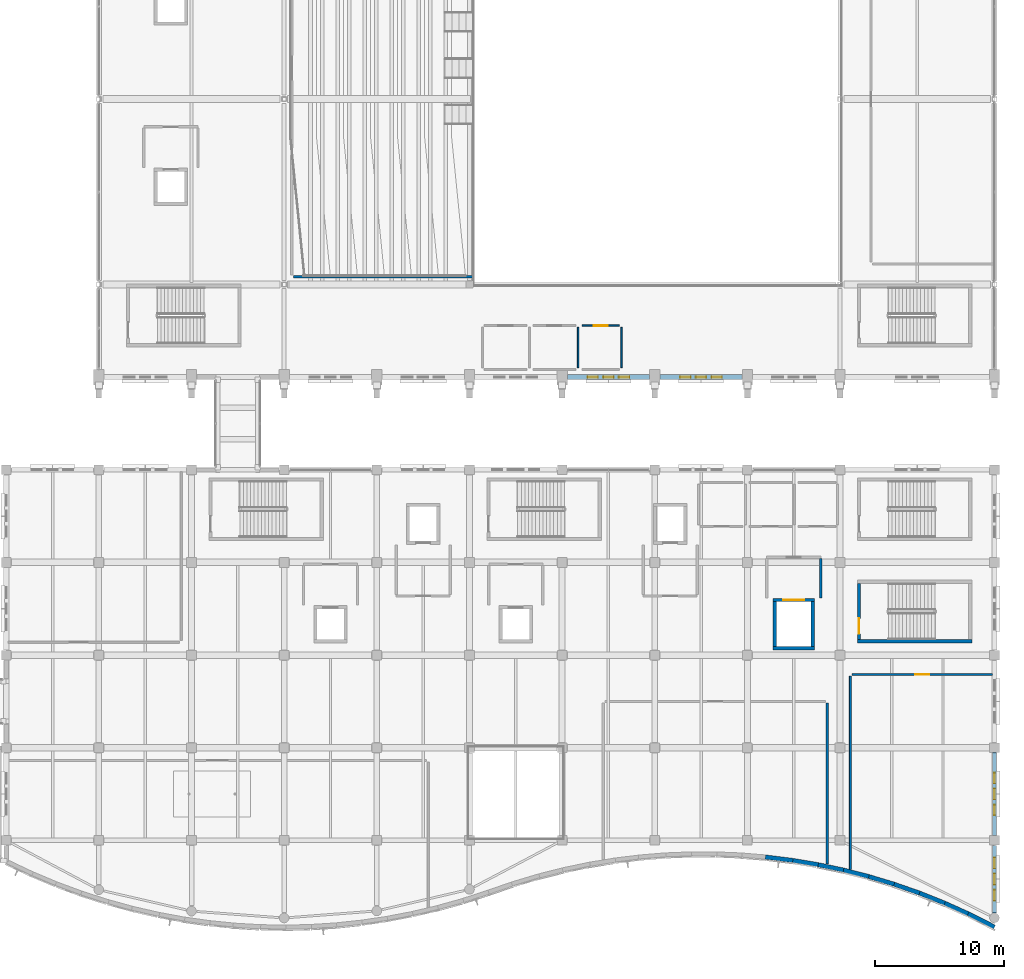
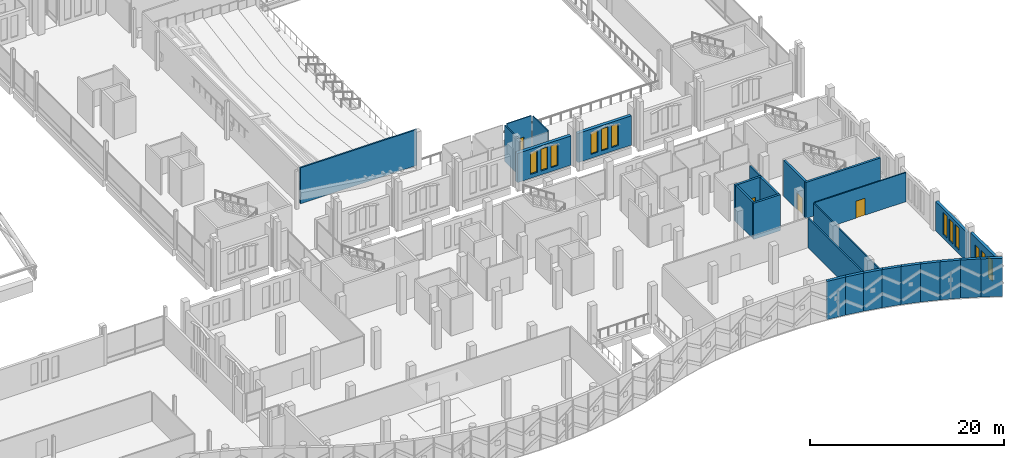
# One storey, part 144 of 193: 27 walls, 12 windows, 4 doors, 16 openings.
"""IFC4 building model written with IfcOpenShell, lengths in metres."""

from ifc_helpers import new_model, si_unit, direction, frame, frame_2d, origin, place, context, subcontext, project, spatial, rectangle, extrude, material, layer, layer_set, type_object, element, fill, save


model = new_model("IFC4")

# Units and contexts
model_context = context("Model", 3, precision=1e-05, world=origin(), true_north=direction((0.0, 1.0)))
body_context = subcontext(model_context, "Body", "Model", "MODEL_VIEW")
ifc_project = project(units=[si_unit("LENGTHUNIT", "METRE"), si_unit("AREAUNIT", "SQUARE_METRE"), si_unit("VOLUMEUNIT", "CUBIC_METRE"), si_unit("PLANEANGLEUNIT", "RADIAN"), si_unit("MASSUNIT", "GRAM", prefix="KILO")], contexts=[model_context])

# Site, building, storey
site_placement = place(None, origin())
site = spatial("IfcSite", under=ifc_project, at=site_placement, CompositionType="ELEMENT")
building_placement = place(site_placement, origin())
building = spatial("IfcBuilding", under=site, at=building_placement, Name="Cendralis Lancet Convention Centre", CompositionType="ELEMENT")
storey_placement = place(building_placement, frame((0.0, 0.0, 10.199951171875)))
storey = spatial("IfcBuildingStorey", under=building, at=storey_placement, Name="L02", CompositionType="ELEMENT", Elevation=10.199951171875)

# Wall, openings, windows
ifc_material_1 = material(Name="Buff sandstone ashlar and Concrete G40 (C40/50)", Category="masonry")
ifc_layer_1 = layer(ifc_material_1, 0.320068359375, Name="Buff sandstone ashlar and Concrete G40 (C40/50)")
ifc_layer_set_1 = layer_set([ifc_layer_1], Name="Buff sandstone ashlar and Concrete G40 (C40/50)")
wall_type_1 = type_object("IfcWallType", Name="ARC-EW-W320", PredefinedType="STANDARD", material=ifc_layer_set_1)
wall_1_placement = place(storey_placement, frame((208.800048828125, 14.01708984375, 0.0), z_axis=(0.0, 0.0, 1.0), x_axis=(0.0, -1.0, 0.0)))
wall_1 = element("IfcWall", 1, at=wall_1_placement, inside=storey, type_object=wall_type_1, Name="L02 V5 Exterior Wall EW-06 #0291", PredefinedType="STANDARD", context=body_context, shape_type="SweptSolid", body=[
    extrude(rectangle(XDim=6.43408203125, YDim=0.320068359375, at=frame_2d((3.217041015625, 0.0))), origin(), (0.0, 0.0, 1.0), 3.675048828125),
])
opening_1_placement = place(wall_1_placement, frame((1.576904296875, 0.0, 0.5)))
opening_1 = element("IfcOpeningElement", 2, at=opening_1_placement, cuts=wall_1, Name="Opening WN-07", PredefinedType="OPENING", context=body_context, shape_type="SweptSolid", body=[
    extrude(rectangle(XDim=0.800048828125, YDim=2.75, at=frame_2d((0.39990234375, 1.375))), frame((0.0, 0.169921875, 0.0), z_axis=(0.0, -1.0, 0.0), x_axis=(1.0, 0.0, 0.0)), (0.0, 0.0, 1.0), 0.340087890625),
])
opening_2_placement = place(wall_1_placement, frame((2.797119140625, 0.0, 0.5)))
opening_2 = element("IfcOpeningElement", 3, at=opening_2_placement, cuts=wall_1, Name="Opening WN-15", PredefinedType="OPENING", context=body_context, shape_type="SweptSolid", body=[
    extrude(rectangle(XDim=0.840087890625, YDim=2.699951171875, at=frame_2d((0.419921875, 1.35009765625))), frame((0.0, 0.169921875, 0.0), z_axis=(0.0, -1.0, 0.0), x_axis=(1.0, 0.0, 0.0)), (0.0, 0.0, 1.0), 0.340087890625),
])
opening_3_placement = place(wall_1_placement, frame((4.056884765625, 0.0, 0.5)))
opening_3 = element("IfcOpeningElement", 4, at=opening_3_placement, cuts=wall_1, Name="Opening WN-07", PredefinedType="OPENING", context=body_context, shape_type="SweptSolid", body=[
    extrude(rectangle(XDim=0.800048828125, YDim=2.75, at=frame_2d((0.39990234375, 1.375))), frame((0.0, 0.169921875, 0.0), z_axis=(0.0, -1.0, 0.0), x_axis=(1.0, 0.0, 0.0)), (0.0, 0.0, 1.0), 0.340087890625),
])
ifc_material_2 = material(Name="Double-glazed low-E solar-control glass", Category="glass")
window_type_1 = type_object("IfcWindowType", Name="ARC-WN-LW07", PartitioningType="SINGLE_PANEL", PredefinedType="WINDOW", material=ifc_material_2)
window_1_placement = place(opening_1_placement, origin())
window_1 = element("IfcWindow", 5, at=window_1_placement, inside=storey, type_object=window_type_1, Name="Gothic Lancet Window WN-07 #0562", OverallHeight=2.75, OverallWidth=0.800048828125, PartitioningType="SINGLE_PANEL", PredefinedType="WINDOW", context=body_context, shape_type="SweptSolid", body=[
    extrude(rectangle(XDim=0.800048828125, YDim=2.75, at=frame_2d((0.39990234375, 1.375))), frame((0.0, 0.030029296875, 0.0), z_axis=(0.0, -1.0, 0.0), x_axis=(1.0, 0.0, 0.0)), (0.0, 0.0, 1.0), 0.06005859375),
])
fill(opening_1, window_1)
window_2_placement = place(opening_3_placement, origin())
window_2 = element("IfcWindow", 6, at=window_2_placement, inside=storey, type_object=window_type_1, Name="Gothic Lancet Window WN-07 #0564", OverallHeight=2.75, OverallWidth=0.800048828125, PartitioningType="SINGLE_PANEL", PredefinedType="WINDOW", context=body_context, shape_type="SweptSolid", body=[
    extrude(rectangle(XDim=0.800048828125, YDim=2.75, at=frame_2d((0.39990234375, 1.375))), frame((0.0, 0.030029296875, 0.0), z_axis=(0.0, -1.0, 0.0), x_axis=(1.0, 0.0, 0.0)), (0.0, 0.0, 1.0), 0.06005859375),
])
fill(opening_3, window_2)
window_type_2 = type_object("IfcWindowType", Name="ARC-WN-LW15", PartitioningType="SINGLE_PANEL", PredefinedType="WINDOW", material=ifc_material_2)
window_3_placement = place(opening_2_placement, origin())
window_3 = element("IfcWindow", 7, at=window_3_placement, inside=storey, type_object=window_type_2, Name="Gothic Lancet Window WN-15 #0563", OverallHeight=2.699951171875, OverallWidth=0.840087890625, PartitioningType="SINGLE_PANEL", PredefinedType="WINDOW", context=body_context, shape_type="SweptSolid", body=[
    extrude(rectangle(XDim=0.840087890625, YDim=2.699951171875, at=frame_2d((0.419921875, 1.35009765625))), frame((0.0, 0.030029296875, 0.0), z_axis=(0.0, -1.0, 0.0), x_axis=(1.0, 0.0, 0.0)), (0.0, 0.0, 1.0), 0.06005859375),
])
fill(opening_2, window_3)

wall_2_placement = place(storey_placement, frame((208.800048828125, 6.81689453125, 0.0), z_axis=(0.0, 0.0, 1.0), x_axis=(0.0, -1.0, 0.0)))
wall_2 = element("IfcWall", 8, at=wall_2_placement, inside=storey, type_object=wall_type_1, Name="L02 V5 Exterior Wall EW-06 #0292", PredefinedType="STANDARD", context=body_context, shape_type="SweptSolid", body=[
    extrude(rectangle(XDim=5.25, YDim=0.320068359375, at=frame_2d((2.625, 0.0))), origin(), (0.0, 0.0, 1.0), 4.135009765625),
])
opening_4_placement = place(wall_2_placement, frame((0.945068359375, 0.0, 0.5)))
opening_4 = element("IfcOpeningElement", 9, at=opening_4_placement, cuts=wall_2, Name="Opening WN-15", PredefinedType="OPENING", context=body_context, shape_type="SweptSolid", body=[
    extrude(rectangle(XDim=0.840087890625, YDim=2.699951171875, at=frame_2d((0.419921875, 1.35009765625))), frame((0.0, 0.169921875, 0.0), z_axis=(0.0, -1.0, 0.0), x_axis=(1.0, 0.0, 0.0)), (0.0, 0.0, 1.0), 0.340087890625),
])
opening_5_placement = place(wall_2_placement, frame((2.205078125, 0.0, 0.5)))
opening_5 = element("IfcOpeningElement", 10, at=opening_5_placement, cuts=wall_2, Name="Opening WN-15", PredefinedType="OPENING", context=body_context, shape_type="SweptSolid", body=[
    extrude(rectangle(XDim=0.840087890625, YDim=2.699951171875, at=frame_2d((0.419921875, 1.35009765625))), frame((0.0, 0.169921875, 0.0), z_axis=(0.0, -1.0, 0.0), x_axis=(1.0, 0.0, 0.0)), (0.0, 0.0, 1.0), 0.340087890625),
])
opening_6_placement = place(wall_2_placement, frame((3.465087890625, 0.0, 0.5)))
opening_6 = element("IfcOpeningElement", 11, at=opening_6_placement, cuts=wall_2, Name="Opening WN-15", PredefinedType="OPENING", context=body_context, shape_type="SweptSolid", body=[
    extrude(rectangle(XDim=0.840087890625, YDim=2.699951171875, at=frame_2d((0.419921875, 1.35009765625))), frame((0.0, 0.169921875, 0.0), z_axis=(0.0, -1.0, 0.0), x_axis=(1.0, 0.0, 0.0)), (0.0, 0.0, 1.0), 0.340087890625),
])
window_4_placement = place(opening_4_placement, origin())
window_4 = element("IfcWindow", 12, at=window_4_placement, inside=storey, type_object=window_type_2, Name="Gothic Lancet Window WN-15 #0565", OverallHeight=2.699951171875, OverallWidth=0.840087890625, PartitioningType="SINGLE_PANEL", PredefinedType="WINDOW", context=body_context, shape_type="SweptSolid", body=[
    extrude(rectangle(XDim=0.840087890625, YDim=2.699951171875, at=frame_2d((0.419921875, 1.35009765625))), frame((0.0, 0.030029296875, 0.0), z_axis=(0.0, -1.0, 0.0), x_axis=(1.0, 0.0, 0.0)), (0.0, 0.0, 1.0), 0.06005859375),
])
fill(opening_4, window_4)
window_5_placement = place(opening_5_placement, origin())
window_5 = element("IfcWindow", 13, at=window_5_placement, inside=storey, type_object=window_type_2, Name="Gothic Lancet Window WN-15 #0566", OverallHeight=2.699951171875, OverallWidth=0.840087890625, PartitioningType="SINGLE_PANEL", PredefinedType="WINDOW", context=body_context, shape_type="SweptSolid", body=[
    extrude(rectangle(XDim=0.840087890625, YDim=2.699951171875, at=frame_2d((0.419921875, 1.35009765625))), frame((0.0, 0.030029296875, 0.0), z_axis=(0.0, -1.0, 0.0), x_axis=(1.0, 0.0, 0.0)), (0.0, 0.0, 1.0), 0.06005859375),
])
fill(opening_5, window_5)
window_6_placement = place(opening_6_placement, origin())
window_6 = element("IfcWindow", 14, at=window_6_placement, inside=storey, type_object=window_type_2, Name="Gothic Lancet Window WN-15 #0567", OverallHeight=2.699951171875, OverallWidth=0.840087890625, PartitioningType="SINGLE_PANEL", PredefinedType="WINDOW", context=body_context, shape_type="SweptSolid", body=[
    extrude(rectangle(XDim=0.840087890625, YDim=2.699951171875, at=frame_2d((0.419921875, 1.35009765625))), frame((0.0, 0.030029296875, 0.0), z_axis=(0.0, -1.0, 0.0), x_axis=(1.0, 0.0, 0.0)), (0.0, 0.0, 1.0), 0.06005859375),
])
fill(opening_6, window_6)

# Walls
ifc_layer_2 = layer(ifc_material_1, 0.340087890625, Name="Buff sandstone ashlar and Concrete G40 (C40/50)")
ifc_layer_set_2 = layer_set([ifc_layer_2], Name="Buff sandstone ashlar and Concrete G40 (C40/50)")
wall_type_2 = type_object("IfcWallType", Name="ARC-EW-W340", PredefinedType="STANDARD", material=ifc_layer_set_2)
wall_3_placement = place(storey_placement, frame((190.99267578125, 5.905517578125, 0.0), z_axis=(0.0, 0.0, 1.0), x_axis=(0.992340518497, -0.123532567972, 0.0)))
element("IfcWall", 15, at=wall_3_placement, inside=storey, type_object=wall_type_2, Name="South Boulevard Wave Wall L02 WP-097-WP-098", PredefinedType="STANDARD", context=body_context, shape_type="SweptSolid", body=[
    extrude(rectangle(XDim=2.154296875, YDim=0.340087890625, at=frame_2d((1.0771484375, 0.0))), origin(), (0.0, 0.0, 1.0), 4.800048828125),
])
wall_4_placement = place(storey_placement, frame((192.962158203125, 5.6640625, 0.0), z_axis=(0.0, 0.0, 1.0), x_axis=(0.986406105595, -0.164325880023, 0.0)))
element("IfcWall", 16, at=wall_4_placement, inside=storey, type_object=wall_type_2, Name="South Boulevard Wave Wall L02 WP-098-WP-099", PredefinedType="STANDARD", context=body_context, shape_type="SweptSolid", body=[
    extrude(rectangle(XDim=2.166259765625, YDim=0.340087890625, at=frame_2d((1.0830078125, 0.0))), origin(), (0.0, 0.0, 1.0), 4.800048828125),
])
wall_5_placement = place(storey_placement, frame((194.931884765625, 5.339599609375, 0.0), z_axis=(0.0, 0.0, 1.0), x_axis=(0.978597224131, -0.205785016274, 0.0)))
element("IfcWall", 17, at=wall_5_placement, inside=storey, type_object=wall_type_2, Name="South Boulevard Wave Wall L02 WP-099-WP-100", PredefinedType="STANDARD", context=body_context, shape_type="SweptSolid", body=[
    extrude(rectangle(XDim=2.182861328125, YDim=0.340087890625, at=frame_2d((1.09130859375, 0.0))), origin(), (0.0, 0.0, 1.0), 4.800048828125),
])
wall_6_placement = place(storey_placement, frame((196.902587890625, 4.928955078125, 0.0), z_axis=(0.0, 0.0, 1.0), x_axis=(0.969248825285, -0.246082739509, 0.0)))
element("IfcWall", 18, at=wall_6_placement, inside=storey, type_object=wall_type_2, Name="South Boulevard Wave Wall L02 WP-100-WP-101", PredefinedType="STANDARD", context=body_context, shape_type="SweptSolid", body=[
    extrude(rectangle(XDim=2.201416015625, YDim=0.340087890625, at=frame_2d((1.1005859375, 0.0))), origin(), (0.0, 0.0, 1.0), 4.800048828125),
])
wall_7_placement = place(storey_placement, frame((198.87255859375, 4.4326171875, 0.0), z_axis=(0.0, 0.0, 1.0), x_axis=(0.957632889706, -0.287991750844, 0.0)))
element("IfcWall", 19, at=wall_7_placement, inside=storey, type_object=wall_type_2, Name="South Boulevard Wave Wall L02 WP-101-WP-102", PredefinedType="STANDARD", context=body_context, shape_type="SweptSolid", body=[
    extrude(rectangle(XDim=2.22607421875, YDim=0.340087890625, at=frame_2d((1.113037109375, 0.0))), origin(), (0.0, 0.0, 1.0), 4.800048828125),
])
wall_8_placement = place(storey_placement, frame((200.8427734375, 3.843994140625, 0.0), z_axis=(0.0, 0.0, 1.0), x_axis=(0.944466118258, -0.328608812211, 0.0)))
element("IfcWall", 20, at=wall_8_placement, inside=storey, type_object=wall_type_2, Name="South Boulevard Wave Wall L02 WP-102-WP-103", PredefinedType="STANDARD", context=body_context, shape_type="SweptSolid", body=[
    extrude(rectangle(XDim=2.2548828125, YDim=0.340087890625, at=frame_2d((1.12744140625, 0.0))), origin(), (0.0, 0.0, 1.0), 4.800048828125),
])
wall_9_placement = place(storey_placement, frame((202.81298828125, 3.162353515625, 0.0), z_axis=(0.0, 0.0, 1.0), x_axis=(0.929297953996, -0.369330898651, 0.0)))
element("IfcWall", 21, at=wall_9_placement, inside=storey, type_object=wall_type_2, Name="South Boulevard Wave Wall L02 WP-103-WP-104", PredefinedType="STANDARD", context=body_context, shape_type="SweptSolid", body=[
    extrude(rectangle(XDim=2.289794921875, YDim=0.340087890625, at=frame_2d((1.14501953125, 0.0))), origin(), (0.0, 0.0, 1.0), 4.800048828125),
])
wall_10_placement = place(storey_placement, frame((204.784423828125, 2.3828125, 0.0), z_axis=(0.0, 0.0, 1.0), x_axis=(0.911764564576, -0.410713256158, 0.0)))
element("IfcWall", 22, at=wall_10_placement, inside=storey, type_object=wall_type_2, Name="South Boulevard Wave Wall L02 WP-104-WP-105", PredefinedType="STANDARD", context=body_context, shape_type="SweptSolid", body=[
    extrude(rectangle(XDim=2.32958984375, YDim=0.340087890625, at=frame_2d((1.164794921875, 0.0))), origin(), (0.0, 0.0, 1.0), 4.800048828125),
])
wall_11_placement = place(storey_placement, frame((206.755126953125, 1.49951171875, 0.0), z_axis=(0.0, 0.0, 1.0), x_axis=(0.892157701522, -0.451724070219, 0.0)))
element("IfcWall", 23, at=wall_11_placement, inside=storey, type_object=wall_type_2, Name="South Boulevard Wave Wall L02 WP-105-WP-106", PredefinedType="STANDARD", context=body_context, shape_type="SweptSolid", body=[
    extrude(rectangle(XDim=2.2919921875, YDim=0.340087890625, at=frame_2d((1.14599609375, 0.0))), origin(), (0.0, 0.0, 1.0), 4.800048828125),
])

# Wall, openings, windows
ifc_layer_3 = layer(ifc_material_1, 0.3798828125, Name="Buff sandstone ashlar and Concrete G40 (C40/50)")
ifc_layer_set_3 = layer_set([ifc_layer_3], Name="Buff sandstone ashlar and Concrete G40 (C40/50)")
wall_type_3 = type_object("IfcWallType", Name="ARC-EW-W380", PredefinedType="STANDARD", material=ifc_layer_set_3)
wall_12_placement = place(storey_placement, frame((181.991943359375, 43.199951171875, 0.0), z_axis=(0.0, 0.0, 1.0), x_axis=(-1.0, 0.0, 0.0)))
wall_12 = element("IfcWall", 24, at=wall_12_placement, inside=storey, type_object=wall_type_3, Name="L02 V2 Exterior Wall EW-03 #0114", PredefinedType="STANDARD", context=body_context, shape_type="SweptSolid", body=[
    extrude(rectangle(XDim=6.384033203125, YDim=0.3798828125, at=frame_2d((3.19189453125, 0.0))), origin(), (0.0, 0.0, 1.0), 3.675048828125),
])
opening_7_placement = place(wall_12_placement, frame((1.572021484375, 0.0, 0.5)))
opening_7 = element("IfcOpeningElement", 25, at=opening_7_placement, cuts=wall_12, Name="Opening WN-07", PredefinedType="OPENING", context=body_context, shape_type="SweptSolid", body=[
    extrude(rectangle(XDim=0.800048828125, YDim=2.75, at=frame_2d((0.39990234375, 1.375))), frame((0.0, 0.199951171875, 0.0), z_axis=(0.0, -1.0, 0.0), x_axis=(1.0, 0.0, 0.0)), (0.0, 0.0, 1.0), 0.39990234375),
])
opening_8_placement = place(wall_12_placement, frame((2.7919921875, 0.0, 0.5)))
opening_8 = element("IfcOpeningElement", 26, at=opening_8_placement, cuts=wall_12, Name="Opening WN-07", PredefinedType="OPENING", context=body_context, shape_type="SweptSolid", body=[
    extrude(rectangle(XDim=0.800048828125, YDim=2.75, at=frame_2d((0.39990234375, 1.375))), frame((0.0, 0.199951171875, 0.0), z_axis=(0.0, -1.0, 0.0), x_axis=(1.0, 0.0, 0.0)), (0.0, 0.0, 1.0), 0.39990234375),
])
opening_9_placement = place(wall_12_placement, frame((4.011962890625, 0.0, 0.5)))
opening_9 = element("IfcOpeningElement", 27, at=opening_9_placement, cuts=wall_12, Name="Opening WN-07", PredefinedType="OPENING", context=body_context, shape_type="SweptSolid", body=[
    extrude(rectangle(XDim=0.800048828125, YDim=2.75, at=frame_2d((0.39990234375, 1.375))), frame((0.0, 0.199951171875, 0.0), z_axis=(0.0, -1.0, 0.0), x_axis=(1.0, 0.0, 0.0)), (0.0, 0.0, 1.0), 0.39990234375),
])
window_7_placement = place(opening_7_placement, origin())
window_7 = element("IfcWindow", 28, at=window_7_placement, inside=storey, type_object=window_type_1, Name="Gothic Lancet Window WN-07 #0213", OverallHeight=2.75, OverallWidth=0.800048828125, PartitioningType="SINGLE_PANEL", PredefinedType="WINDOW", context=body_context, shape_type="SweptSolid", body=[
    extrude(rectangle(XDim=0.800048828125, YDim=2.75, at=frame_2d((0.39990234375, 1.375))), frame((0.0, 0.030029296875, 0.0), z_axis=(0.0, -1.0, 0.0), x_axis=(1.0, 0.0, 0.0)), (0.0, 0.0, 1.0), 0.06005859375),
])
fill(opening_7, window_7)
window_8_placement = place(opening_8_placement, origin())
window_8 = element("IfcWindow", 29, at=window_8_placement, inside=storey, type_object=window_type_1, Name="Gothic Lancet Window WN-07 #0214", OverallHeight=2.75, OverallWidth=0.800048828125, PartitioningType="SINGLE_PANEL", PredefinedType="WINDOW", context=body_context, shape_type="SweptSolid", body=[
    extrude(rectangle(XDim=0.800048828125, YDim=2.75, at=frame_2d((0.39990234375, 1.375))), frame((0.0, 0.030029296875, 0.0), z_axis=(0.0, -1.0, 0.0), x_axis=(1.0, 0.0, 0.0)), (0.0, 0.0, 1.0), 0.06005859375),
])
fill(opening_8, window_8)
window_9_placement = place(opening_9_placement, origin())
window_9 = element("IfcWindow", 30, at=window_9_placement, inside=storey, type_object=window_type_1, Name="Gothic Lancet Window WN-07 #0215", OverallHeight=2.75, OverallWidth=0.800048828125, PartitioningType="SINGLE_PANEL", PredefinedType="WINDOW", context=body_context, shape_type="SweptSolid", body=[
    extrude(rectangle(XDim=0.800048828125, YDim=2.75, at=frame_2d((0.39990234375, 1.375))), frame((0.0, 0.030029296875, 0.0), z_axis=(0.0, -1.0, 0.0), x_axis=(1.0, 0.0, 0.0)), (0.0, 0.0, 1.0), 0.06005859375),
])
fill(opening_9, window_9)

wall_13_placement = place(storey_placement, frame((189.19189453125, 43.199951171875, 0.0), z_axis=(0.0, 0.0, 1.0), x_axis=(-1.0, 0.0, 0.0)))
wall_13 = element("IfcWall", 31, at=wall_13_placement, inside=storey, type_object=wall_type_3, Name="L02 V2 Exterior Wall EW-03 #0115", PredefinedType="STANDARD", context=body_context, shape_type="SweptSolid", body=[
    extrude(rectangle(XDim=6.3837890625, YDim=0.3798828125, at=frame_2d((3.19189453125, 0.0))), origin(), (0.0, 0.0, 1.0), 3.675048828125),
])
opening_10_placement = place(wall_13_placement, frame((1.572021484375, 0.0, 0.5)))
opening_10 = element("IfcOpeningElement", 32, at=opening_10_placement, cuts=wall_13, Name="Opening WN-07", PredefinedType="OPENING", context=body_context, shape_type="SweptSolid", body=[
    extrude(rectangle(XDim=0.800048828125, YDim=2.75, at=frame_2d((0.39990234375, 1.375))), frame((0.0, 0.199951171875, 0.0), z_axis=(0.0, -1.0, 0.0), x_axis=(1.0, 0.0, 0.0)), (0.0, 0.0, 1.0), 0.39990234375),
])
opening_11_placement = place(wall_13_placement, frame((2.7919921875, 0.0, 0.5)))
opening_11 = element("IfcOpeningElement", 33, at=opening_11_placement, cuts=wall_13, Name="Opening WN-07", PredefinedType="OPENING", context=body_context, shape_type="SweptSolid", body=[
    extrude(rectangle(XDim=0.800048828125, YDim=2.75, at=frame_2d((0.39990234375, 1.375))), frame((0.0, 0.199951171875, 0.0), z_axis=(0.0, -1.0, 0.0), x_axis=(1.0, 0.0, 0.0)), (0.0, 0.0, 1.0), 0.39990234375),
])
opening_12_placement = place(wall_13_placement, frame((4.011962890625, 0.0, 0.5)))
opening_12 = element("IfcOpeningElement", 34, at=opening_12_placement, cuts=wall_13, Name="Opening WN-07", PredefinedType="OPENING", context=body_context, shape_type="SweptSolid", body=[
    extrude(rectangle(XDim=0.800048828125, YDim=2.75, at=frame_2d((0.39990234375, 1.375))), frame((0.0, 0.199951171875, 0.0), z_axis=(0.0, -1.0, 0.0), x_axis=(1.0, 0.0, 0.0)), (0.0, 0.0, 1.0), 0.39990234375),
])
window_10_placement = place(opening_10_placement, origin())
window_10 = element("IfcWindow", 35, at=window_10_placement, inside=storey, type_object=window_type_1, Name="Gothic Lancet Window WN-07 #0216", OverallHeight=2.75, OverallWidth=0.800048828125, PartitioningType="SINGLE_PANEL", PredefinedType="WINDOW", context=body_context, shape_type="SweptSolid", body=[
    extrude(rectangle(XDim=0.800048828125, YDim=2.75, at=frame_2d((0.39990234375, 1.375))), frame((0.0, 0.030029296875, 0.0), z_axis=(0.0, -1.0, 0.0), x_axis=(1.0, 0.0, 0.0)), (0.0, 0.0, 1.0), 0.06005859375),
])
fill(opening_10, window_10)
window_11_placement = place(opening_11_placement, origin())
window_11 = element("IfcWindow", 36, at=window_11_placement, inside=storey, type_object=window_type_1, Name="Gothic Lancet Window WN-07 #0217", OverallHeight=2.75, OverallWidth=0.800048828125, PartitioningType="SINGLE_PANEL", PredefinedType="WINDOW", context=body_context, shape_type="SweptSolid", body=[
    extrude(rectangle(XDim=0.800048828125, YDim=2.75, at=frame_2d((0.39990234375, 1.375))), frame((0.0, 0.030029296875, 0.0), z_axis=(0.0, -1.0, 0.0), x_axis=(1.0, 0.0, 0.0)), (0.0, 0.0, 1.0), 0.06005859375),
])
fill(opening_11, window_11)
window_12_placement = place(opening_12_placement, origin())
window_12 = element("IfcWindow", 37, at=window_12_placement, inside=storey, type_object=window_type_1, Name="Gothic Lancet Window WN-07 #0218", OverallHeight=2.75, OverallWidth=0.800048828125, PartitioningType="SINGLE_PANEL", PredefinedType="WINDOW", context=body_context, shape_type="SweptSolid", body=[
    extrude(rectangle(XDim=0.800048828125, YDim=2.75, at=frame_2d((0.39990234375, 1.375))), frame((0.0, 0.030029296875, 0.0), z_axis=(0.0, -1.0, 0.0), x_axis=(1.0, 0.0, 0.0)), (0.0, 0.0, 1.0), 0.06005859375),
])
fill(opening_12, window_12)

# Wall
ifc_material_3 = material(Name="Acoustic fire-rated gypsum board on steel studs", Category="steel")
ifc_layer_4 = layer(ifc_material_3, 0.1201171875, Name="Acoustic fire-rated gypsum board on steel studs")
ifc_layer_set_4 = layer_set([ifc_layer_4], Name="Acoustic fire-rated gypsum board on steel studs")
wall_type_4 = type_object("IfcWallType", Name="ARC-IW-P120", PredefinedType="PARTITIONING", material=ifc_layer_set_4)
wall_14_placement = place(storey_placement, frame((176.449951171875, 43.93994140625, 0.0), z_axis=(0.0, 0.0, 1.0), x_axis=(0.0, 1.0, 0.0)))
element("IfcWall", 38, at=wall_14_placement, inside=storey, type_object=wall_type_4, Name="L02 Interior Partition IW-05 #0115", PredefinedType="PARTITIONING", context=body_context, shape_type="SweptSolid", body=[
    extrude(rectangle(XDim=3.1201171875, YDim=0.1201171875, at=frame_2d((1.56005859375, 0.0))), origin(), (0.0, 0.0, 1.0), 4.525146484375),
])

# Wall, opening, door
wall_15_placement = place(storey_placement, frame((176.75, 47.199951171875, 0.0), z_axis=(0.0, 0.0, 1.0), x_axis=(1.0, 0.0, 0.0)))
wall_15 = element("IfcWall", 39, at=wall_15_placement, inside=storey, type_object=wall_type_4, Name="L02 Interior Partition IW-05 #0116", PredefinedType="PARTITIONING", context=body_context, shape_type="SweptSolid", body=[
    extrude(rectangle(XDim=2.89990234375, YDim=0.1201171875, at=frame_2d((1.449951171875, 0.0))), origin(), (0.0, 0.0, 1.0), 4.525146484375),
])
opening_13_placement = place(wall_15_placement, frame((0.89990234375, 0.0, 0.0)))
opening_13 = element("IfcOpeningElement", 40, at=opening_13_placement, cuts=wall_15, Name="Opening FD-11", PredefinedType="OPENING", context=body_context, shape_type="SweptSolid", body=[
    extrude(rectangle(XDim=1.10009765625, YDim=2.14990234375, at=frame_2d((0.550048828125, 1.074951171875))), frame((0.0, 0.070068359375, 0.0), z_axis=(0.0, -1.0, 0.0), x_axis=(1.0, 0.0, 0.0)), (0.0, 0.0, 1.0), 0.14013671875),
])
ifc_material_4 = material(Name="Steel S355", Category="steel")
door_type_1 = type_object("IfcDoorType", Name="ARC-DR-FF11", OperationType="NOTDEFINED", PredefinedType="DOOR", material=ifc_material_4)
door_1_placement = place(opening_13_placement, origin())
door_1 = element("IfcDoor", 41, at=door_1_placement, inside=storey, type_object=door_type_1, Name="L02-D006 L02 Interior Door FD-11 #0038", OperationType="SINGLE_SWING_RIGHT", OverallHeight=2.14990234375, OverallWidth=1.10009765625, PredefinedType="DOOR", context=body_context, shape_type="SweptSolid", body=[
    extrude(rectangle(XDim=1.10009765625, YDim=2.14990234375, at=frame_2d((0.550048828125, 1.074951171875))), frame((0.0, 0.02490234375, 0.0), z_axis=(0.0, -1.0, 0.0), x_axis=(1.0, 0.0, 0.0)), (0.0, 0.0, 1.0), 0.050048828125),
])
fill(opening_13, door_1)

# Walls
wall_16_placement = place(storey_placement, frame((179.800048828125, 43.93994140625, 0.0), z_axis=(0.0, 0.0, 1.0), x_axis=(0.0, 1.0, 0.0)))
element("IfcWall", 42, at=wall_16_placement, inside=storey, type_object=wall_type_4, Name="L02 Interior Partition IW-05 #0118", PredefinedType="PARTITIONING", context=body_context, shape_type="SweptSolid", body=[
    extrude(rectangle(XDim=3.1201171875, YDim=0.1201171875, at=frame_2d((1.56005859375, 0.0))), origin(), (0.0, 0.0, 1.0), 4.525146484375),
])
ifc_layer_5 = layer(ifc_material_3, 0.139892578125, Name="Acoustic fire-rated gypsum board on steel studs")
ifc_layer_set_5 = layer_set([ifc_layer_5], Name="Acoustic fire-rated gypsum board on steel studs")
wall_type_5 = type_object("IfcWallType", Name="ARC-IW-P140", PredefinedType="PARTITIONING", material=ifc_layer_set_5)
wall_17_placement = place(storey_placement, frame((197.60009765625, 4.951416015625, 0.0), z_axis=(0.0, 0.0, 1.0), x_axis=(0.0, 1.0, 0.0)))
element("IfcWall", 43, at=wall_17_placement, inside=storey, type_object=wall_type_5, Name="L02 Interior Partition IW-04 #0391", PredefinedType="PARTITIONING", context=body_context, shape_type="SweptSolid", body=[
    extrude(rectangle(XDim=15.008544921875, YDim=0.139892578125, at=frame_2d((7.50439453125, 0.0))), origin(), (0.0, 0.0, 1.0), 3.72509765625),
])

# Wall, opening, door
wall_18_placement = place(storey_placement, frame((197.739990234375, 20.10009765625, 0.0), z_axis=(0.0, 0.0, 1.0), x_axis=(1.0, 0.0, 0.0)))
wall_18 = element("IfcWall", 44, at=wall_18_placement, inside=storey, type_object=wall_type_5, Name="L02 Interior Partition IW-04 #0392", PredefinedType="PARTITIONING", context=body_context, shape_type="SweptSolid", body=[
    extrude(rectangle(XDim=10.889892578125, YDim=0.139892578125, at=frame_2d((5.44482421875, 0.0))), origin(), (0.0, 0.0, 1.0), 3.675048828125),
])
opening_14_placement = place(wall_18_placement, frame((4.89501953125, 0.0, 0.0)))
opening_14 = element("IfcOpeningElement", 45, at=opening_14_placement, cuts=wall_18, Name="Opening FD-11", PredefinedType="OPENING", context=body_context, shape_type="SweptSolid", body=[
    extrude(rectangle(XDim=1.10009765625, YDim=2.14990234375, at=frame_2d((0.550048828125, 1.074951171875))), frame((0.0, 0.079833984375, 0.0), z_axis=(0.0, -1.0, 0.0), x_axis=(1.0, 0.0, 0.0)), (0.0, 0.0, 1.0), 0.159912109375),
])
door_2_placement = place(opening_14_placement, frame((1.10009765625, 0.0, 0.0), z_axis=(0.0, 0.0, 1.0), x_axis=(-1.0, 0.0, 0.0)))
door_2 = element("IfcDoor", 46, at=door_2_placement, inside=storey, type_object=door_type_1, Name="L02-D023 L02 Interior Door FD-11 #0133", OperationType="SINGLE_SWING_RIGHT", OverallHeight=2.14990234375, OverallWidth=1.10009765625, PredefinedType="DOOR", context=body_context, shape_type="SweptSolid", body=[
    extrude(rectangle(XDim=1.10009765625, YDim=2.14990234375, at=frame_2d((0.550048828125, 1.074951171875))), frame((0.0, 0.02490234375, 0.0), z_axis=(0.0, -1.0, 0.0), x_axis=(1.0, 0.0, 0.0)), (0.0, 0.0, 1.0), 0.050048828125),
])
fill(opening_14, door_2)

# Walls
ifc_layer_6 = layer(ifc_material_3, 0.179931640625, Name="Acoustic fire-rated gypsum board on steel studs")
ifc_layer_set_6 = layer_set([ifc_layer_6], Name="Acoustic fire-rated gypsum board on steel studs")
wall_type_6 = type_object("IfcWallType", Name="ARC-IW-P180", PredefinedType="PARTITIONING", material=ifc_layer_set_6)
wall_19_placement = place(storey_placement, frame((195.300048828125, 26.050048828125, 0.0), z_axis=(0.0, 0.0, 1.0), x_axis=(0.0, 1.0, 0.0)))
element("IfcWall", 47, at=wall_19_placement, inside=storey, type_object=wall_type_6, Name="L02 Lift Lobby LG-04 East Wall", PredefinedType="PARTITIONING", context=body_context, shape_type="SweptSolid", body=[
    extrude(rectangle(XDim=3.050048828125, YDim=0.179931640625, at=frame_2d((1.52490234375, 0.0))), origin(), (0.0, 0.0, 1.0), 3.72509765625),
])
wall_20_placement = place(storey_placement, frame((154.340087890625, 51.0, 0.0), z_axis=(0.0, 0.0, 1.0), x_axis=(1.0, 0.0, 0.0)))
element("IfcWall", 48, at=wall_20_placement, inside=storey, type_object=wall_type_6, Name="L02 Interior Partition IW-02 #0101", PredefinedType="PARTITIONING", context=body_context, shape_type="SweptSolid", body=[
    extrude(rectangle(XDim=13.8798828125, YDim=0.179931640625, at=frame_2d((6.93994140625, 0.0))), origin(), (0.0, 0.0, 1.0), 4.525146484375),
])
wall_21_placement = place(storey_placement, frame((195.800048828125, 5.357666015625, 0.0), z_axis=(0.0, 0.0, 1.0), x_axis=(0.0, 1.0, 0.0)))
element("IfcWall", 49, at=wall_21_placement, inside=storey, type_object=wall_type_6, Name="L02 Interior Partition IW-02 #0390", PredefinedType="PARTITIONING", context=body_context, shape_type="SweptSolid", body=[
    extrude(rectangle(XDim=12.50244140625, YDim=0.179931640625, at=frame_2d((6.251220703125, 0.0))), origin(), (0.0, 0.0, 1.0), 3.72509765625),
])

# Wall, opening, door
ifc_material_5 = material(Name="Concrete G40 (C40/50)", Category="concrete")
ifc_layer_7 = layer(ifc_material_5, 0.25, Name="Concrete G40 (C40/50)")
ifc_layer_set_7 = layer_set([ifc_layer_7], Name="Concrete G40 (C40/50)")
wall_type_7 = type_object("IfcWallType", Name="STR-SW-CW250", PredefinedType="SHEAR", material=ifc_layer_set_7)
wall_22_placement = place(storey_placement, frame((198.27490234375, 22.800048828125, 0.0), z_axis=(0.0, 0.0, 1.0), x_axis=(0.0, 1.0, 0.0)))
wall_22 = element("IfcWall", 50, at=wall_22_placement, inside=storey, type_object=wall_type_7, Name="L02 Stair Core ST-15 West Shear Wall", PredefinedType="SHEAR", context=body_context, shape_type="SweptSolid", body=[
    extrude(rectangle(XDim=4.3798828125, YDim=0.25, at=frame_2d((2.18994140625, 0.0))), origin(), (0.0, 0.0, 1.0), 4.5400390625),
])
opening_15_placement = place(wall_22_placement, frame((0.449951171875, 0.0, 0.0)))
opening_15 = element("IfcOpeningElement", 51, at=opening_15_placement, cuts=wall_22, Name="Opening SD-12", PredefinedType="OPENING", context=body_context, shape_type="SweptSolid", body=[
    extrude(rectangle(XDim=1.199951171875, YDim=2.14990234375, at=frame_2d((0.60009765625, 1.074951171875))), frame((0.0, 0.135009765625, 0.0), z_axis=(0.0, -1.0, 0.0), x_axis=(1.0, 0.0, 0.0)), (0.0, 0.0, 1.0), 0.27001953125),
])
door_type_2 = type_object("IfcDoorType", Name="ARC-DR-ST12", OperationType="NOTDEFINED", PredefinedType="DOOR", material=ifc_material_4)
door_3_placement = place(opening_15_placement, frame((1.199951171875, 0.0, 0.0), z_axis=(0.0, 0.0, 1.0), x_axis=(-1.0, 0.0, 0.0)))
door_3 = element("IfcDoor", 52, at=door_3_placement, inside=storey, type_object=door_type_2, Name="L02-D062 L02 Exit Stair ST-15 Fire Door", OperationType="SINGLE_SWING_LEFT", OverallHeight=2.14990234375, OverallWidth=1.199951171875, PredefinedType="DOOR", context=body_context, shape_type="SweptSolid", body=[
    extrude(rectangle(XDim=1.199951171875, YDim=2.14990234375, at=frame_2d((0.60009765625, 1.074951171875))), frame((0.0, 0.02490234375, 0.0), z_axis=(0.0, -1.0, 0.0), x_axis=(1.0, 0.0, 0.0)), (0.0, 0.0, 1.0), 0.050048828125),
])
fill(opening_15, door_3)

# Walls
wall_23_placement = place(storey_placement, frame((198.14990234375, 22.675048828125, 0.0), z_axis=(0.0, 0.0, 1.0), x_axis=(1.0, 0.0, 0.0)))
element("IfcWall", 53, at=wall_23_placement, inside=storey, type_object=wall_type_7, Name="L02 Stair Core ST-15 South Shear Wall", PredefinedType="SHEAR", context=body_context, shape_type="SweptSolid", body=[
    extrude(rectangle(XDim=8.900146484375, YDim=0.25, at=frame_2d((4.4501953125, 0.0))), origin(), (0.0, 0.0, 1.0), 4.5400390625),
])
wall_24_placement = place(storey_placement, frame((191.60009765625, 22.125, 0.0), z_axis=(0.0, 0.0, 1.0), x_axis=(1.0, 0.0, 0.0)))
element("IfcWall", 54, at=wall_24_placement, inside=storey, type_object=wall_type_7, Name="L02 Lift LG-04 South Shaft Wall", PredefinedType="SHEAR", context=body_context, shape_type="SweptSolid", body=[
    extrude(rectangle(XDim=3.199951171875, YDim=0.25, at=frame_2d((1.60009765625, 0.0))), origin(), (0.0, 0.0, 1.0), 4.5400390625),
])

# Wall, opening, door
wall_25_placement = place(storey_placement, frame((191.60009765625, 25.875, 0.0), z_axis=(0.0, 0.0, 1.0), x_axis=(1.0, 0.0, 0.0)))
wall_25 = element("IfcWall", 55, at=wall_25_placement, inside=storey, type_object=wall_type_7, Name="L02 Lift LG-04 North Shaft Wall", PredefinedType="SHEAR", context=body_context, shape_type="SweptSolid", body=[
    extrude(rectangle(XDim=3.199951171875, YDim=0.25, at=frame_2d((1.60009765625, 0.0))), origin(), (0.0, 0.0, 1.0), 4.5400390625),
])
opening_16_placement = place(wall_25_placement, frame((0.800048828125, 0.0, 0.0)))
opening_16 = element("IfcOpeningElement", 56, at=opening_16_placement, cuts=wall_25, Name="Opening LD-16", PredefinedType="OPENING", context=body_context, shape_type="SweptSolid", body=[
    extrude(rectangle(XDim=1.60009765625, YDim=2.199951171875, at=frame_2d((0.800048828125, 1.10009765625))), frame((0.0, 0.135009765625, 0.0), z_axis=(0.0, -1.0, 0.0), x_axis=(1.0, 0.0, 0.0)), (0.0, 0.0, 1.0), 0.27001953125),
])
door_type_3 = type_object("IfcDoorType", Name="ARC-DR-LD16", OperationType="NOTDEFINED", PredefinedType="DOOR", material=ifc_material_4)
door_4_placement = place(opening_16_placement, origin())
door_4 = element("IfcDoor", 57, at=door_4_placement, inside=storey, type_object=door_type_3, Name="L02-D032 L02 Lift LG-04 Sliding Landing Door", OperationType="SLIDING_TO_RIGHT", OverallHeight=2.199951171875, OverallWidth=1.60009765625, PredefinedType="DOOR", context=body_context, shape_type="SweptSolid", body=[
    extrude(rectangle(XDim=1.60009765625, YDim=2.199951171875, at=frame_2d((0.800048828125, 1.10009765625))), frame((0.0, 0.02490234375, 0.0), z_axis=(0.0, -1.0, 0.0), x_axis=(1.0, 0.0, 0.0)), (0.0, 0.0, 1.0), 0.050048828125),
])
fill(opening_16, door_4)

# Walls
for number, where, z_axis, x_axis, name in (
    (58, (191.72509765625, 22.25, 0.0), (0.0, 0.0, 1.0), (0.0, 1.0, 0.0), "L02 Lift LG-04 West Shaft Wall"),
    (59, (194.675048828125, 22.25, 0.0), (0.0, 0.0, 1.0), (0.0, 1.0, 0.0), "L02 Lift LG-04 East Shaft Wall"),
):
    element("IfcWall", number, at=place(storey_placement, frame(where, z_axis=z_axis, x_axis=x_axis)), inside=storey, type_object=wall_type_7, Name=name, PredefinedType="SHEAR", context=body_context, shape_type="SweptSolid", body=[
        extrude(rectangle(XDim=3.5, YDim=0.25, at=frame_2d((1.75, 0.0))), origin(), (0.0, 0.0, 1.0), 4.5400390625),
    ])

save(model, "model.ifc")
